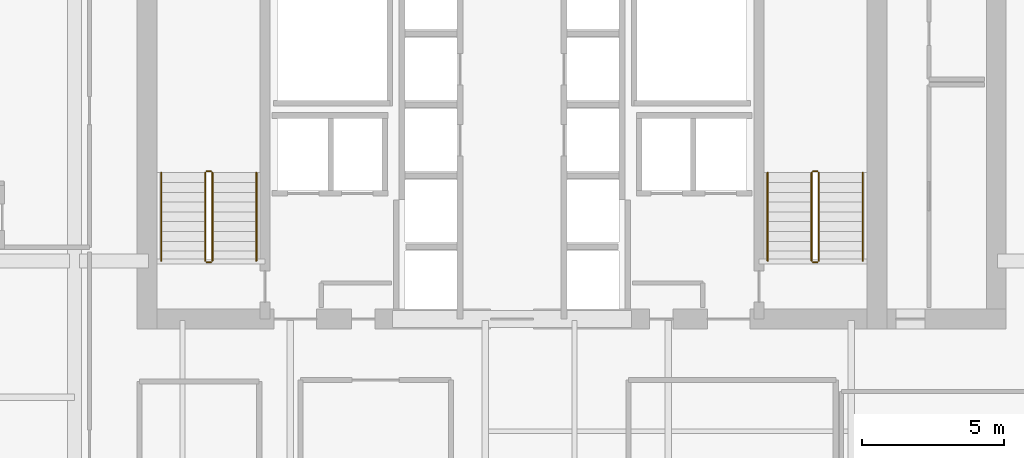
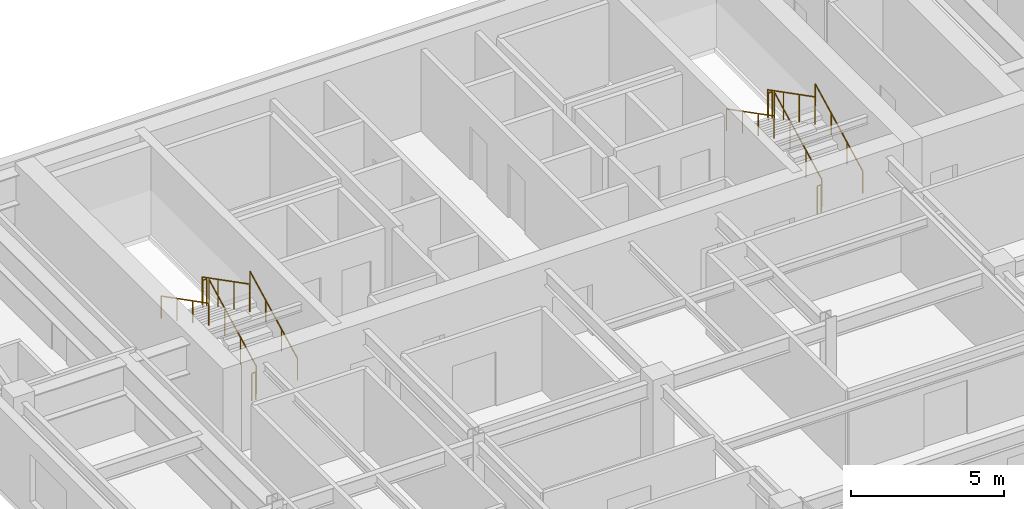
# One storey, part 14 of 14: 12 railings.
"""IFC4 building model written with IfcOpenShell, lengths in metres."""

from ifc_helpers import new_model, si_unit, direction, frame, origin, origin_2d, place, context, subcontext, project, spatial, circle, extrude, material, type_object, element, save


model = new_model("IFC4")

# Units and contexts
model_context = context("Model", 3, precision=1e-05, world=origin(), true_north=direction((0.0, 1.0)))
body_context = subcontext(model_context, "Body", "Model", "MODEL_VIEW")
ifc_project = project(units=[si_unit("LENGTHUNIT", "METRE"), si_unit("AREAUNIT", "SQUARE_METRE"), si_unit("VOLUMEUNIT", "CUBIC_METRE"), si_unit("PLANEANGLEUNIT", "RADIAN"), si_unit("MASSUNIT", "GRAM", prefix="KILO")], contexts=[model_context])

# Site, building, storey
site_placement = place(None, origin())
site = spatial("IfcSite", under=ifc_project, at=site_placement, CompositionType="ELEMENT")
building_placement = place(site_placement, origin())
building = spatial("IfcBuilding", under=site, at=building_placement, Name="Tolvann Quenvar Hotel", CompositionType="ELEMENT")
storey_placement = place(building_placement, frame((0.0, 0.0, 179.0)))
storey = spatial("IfcBuildingStorey", under=building, at=storey_placement, Name="L47", CompositionType="ELEMENT", Elevation=179.0)

# Railings
ifc_material = material(Name="Brushed 316 stainless steel balustrade and handrail", Category="steel")
railing_type_1 = type_object("IfcRailingType", Name="GUARDRAIL", PredefinedType="GUARDRAIL", material=ifc_material)
railing_1_placement = place(storey_placement, frame((12.449951171875, 34.0, 0.177490234375)))
element("IfcRailing", 1, at=railing_1_placement, inside=storey, type_object=railing_type_1, Name="L47 ST-C1 stair guard 1", PredefinedType="GUARDRAIL", context=body_context, shape_type="SweptSolid", body=[
    extrude(circle(Radius=0.02392578125, at=origin_2d()), frame((0.0, 0.0, 1.09619140625), z_axis=(0.0, 0.889221982265, 0.45747597342), x_axis=(-1.0, 0.0, 0.0)), (0.0, 0.0, 1.0), 3.49169921875),
    extrude(circle(Radius=0.02099609375, at=origin_2d()), origin(), (0.0, 0.0, 1.0), 1.072021484375),
    extrude(circle(Radius=0.02099609375, at=origin_2d()), frame((0.0, 1.034912109375, 0.532470703125)), (0.0, 0.0, 1.0), 1.072021484375),
    extrude(circle(Radius=0.02099609375, at=origin_2d()), frame((0.0, 2.070068359375, 1.06494140625)), (0.0, 0.0, 1.0), 1.072021484375),
    extrude(circle(Radius=0.02099609375, at=origin_2d()), frame((0.0, 3.10498046875, 1.597412109375)), (0.0, 0.0, 1.0), 1.072021484375),
])
railing_2_placement = place(storey_placement, frame((12.39990234375, 37.155029296875, 1.77490234375)))
element("IfcRailing", 2, at=railing_2_placement, inside=storey, type_object=railing_type_1, Name="L47 ST-C1 stair guard 2", PredefinedType="GUARDRAIL", context=body_context, shape_type="SweptSolid", body=[
    extrude(circle(Radius=0.02392578125, at=origin_2d()), frame((0.0, 0.0, 1.09619140625), z_axis=(-1.0, 0.0, 0.0), x_axis=(0.0, -1.0, 0.0)), (0.0, 0.0, 1.0), 0.14990234375),
    extrude(circle(Radius=0.02099609375, at=origin_2d()), origin(), (0.0, 0.0, 1.0), 1.072021484375),
    extrude(circle(Radius=0.02099609375, at=origin_2d()), frame((-0.14990234375, 0.0, 0.0)), (0.0, 0.0, 1.0), 1.072021484375),
])
railing_3_placement = place(storey_placement, frame((12.199951171875, 37.10498046875, 1.952392578125)))
element("IfcRailing", 3, at=railing_3_placement, inside=storey, type_object=railing_type_1, Name="L47 ST-C1 stair guard 3", PredefinedType="GUARDRAIL", context=body_context, shape_type="SweptSolid", body=[
    extrude(circle(Radius=0.02392578125, at=origin_2d()), frame((0.0, 0.0, 1.09619140625), z_axis=(0.0, -0.88919353882, 0.457531256332), x_axis=(1.0, 0.0, 0.0)), (0.0, 0.0, 1.0), 3.491943359375),
    extrude(circle(Radius=0.02099609375, at=origin_2d()), origin(), (0.0, 0.0, 1.0), 1.072021484375),
    extrude(circle(Radius=0.02099609375, at=origin_2d()), frame((0.0, -1.034912109375, 0.532470703125)), (0.0, 0.0, 1.0), 1.072021484375),
    extrude(circle(Radius=0.02099609375, at=origin_2d()), frame((0.0, -2.070068359375, 1.065185546875)), (0.0, 0.0, 1.0), 1.072021484375),
    extrude(circle(Radius=0.02099609375, at=origin_2d()), frame((0.0, -3.10498046875, 1.59765625)), (0.0, 0.0, 1.0), 1.072021484375),
])
railing_4_placement = place(storey_placement, frame((12.39990234375, 33.949951171875, 0.0)))
element("IfcRailing", 4, at=railing_4_placement, inside=storey, type_object=railing_type_1, Name="L47 ST-C1 stair guard 4", PredefinedType="GUARDRAIL", context=body_context, shape_type="SweptSolid", body=[
    extrude(circle(Radius=0.02392578125, at=origin_2d()), frame((0.0, 0.0, 1.09619140625), z_axis=(-1.0, 0.0, 0.0), x_axis=(0.0, -1.0, 0.0)), (0.0, 0.0, 1.0), 0.14990234375),
    extrude(circle(Radius=0.02099609375, at=origin_2d()), origin(), (0.0, 0.0, 1.0), 1.072021484375),
    extrude(circle(Radius=0.02099609375, at=origin_2d()), frame((-0.14990234375, 0.0, 0.0)), (0.0, 0.0, 1.0), 1.072021484375),
])
railing_5_placement = place(storey_placement, frame((33.800048828125, 34.0, 0.177490234375)))
element("IfcRailing", 5, at=railing_5_placement, inside=storey, type_object=railing_type_1, Name="L47 ST-C2 stair guard 1", PredefinedType="GUARDRAIL", context=body_context, shape_type="SweptSolid", body=[
    extrude(circle(Radius=0.02392578125, at=origin_2d()), frame((0.0, 0.0, 1.09619140625), z_axis=(0.0, 0.889221982265, 0.45747597342), x_axis=(-1.0, 0.0, 0.0)), (0.0, 0.0, 1.0), 3.49169921875),
    extrude(circle(Radius=0.02099609375, at=origin_2d()), origin(), (0.0, 0.0, 1.0), 1.072021484375),
    extrude(circle(Radius=0.02099609375, at=origin_2d()), frame((0.0, 1.034912109375, 0.532470703125)), (0.0, 0.0, 1.0), 1.072021484375),
    extrude(circle(Radius=0.02099609375, at=origin_2d()), frame((0.0, 2.070068359375, 1.06494140625)), (0.0, 0.0, 1.0), 1.072021484375),
    extrude(circle(Radius=0.02099609375, at=origin_2d()), frame((0.0, 3.10498046875, 1.597412109375)), (0.0, 0.0, 1.0), 1.072021484375),
])
railing_6_placement = place(storey_placement, frame((33.75, 37.155029296875, 1.77490234375)))
element("IfcRailing", 6, at=railing_6_placement, inside=storey, type_object=railing_type_1, Name="L47 ST-C2 stair guard 2", PredefinedType="GUARDRAIL", context=body_context, shape_type="SweptSolid", body=[
    extrude(circle(Radius=0.02392578125, at=origin_2d()), frame((0.0, 0.0, 1.09619140625), z_axis=(-1.0, 0.0, 0.0), x_axis=(0.0, -1.0, 0.0)), (0.0, 0.0, 1.0), 0.14990234375),
    extrude(circle(Radius=0.02099609375, at=origin_2d()), origin(), (0.0, 0.0, 1.0), 1.072021484375),
    extrude(circle(Radius=0.02099609375, at=origin_2d()), frame((-0.14990234375, 0.0, 0.0)), (0.0, 0.0, 1.0), 1.072021484375),
])
railing_7_placement = place(storey_placement, frame((33.550048828125, 37.10498046875, 1.952392578125)))
element("IfcRailing", 7, at=railing_7_placement, inside=storey, type_object=railing_type_1, Name="L47 ST-C2 stair guard 3", PredefinedType="GUARDRAIL", context=body_context, shape_type="SweptSolid", body=[
    extrude(circle(Radius=0.02392578125, at=origin_2d()), frame((0.0, 0.0, 1.09619140625), z_axis=(0.0, -0.88919353882, 0.457531256332), x_axis=(1.0, 0.0, 0.0)), (0.0, 0.0, 1.0), 3.491943359375),
    extrude(circle(Radius=0.02099609375, at=origin_2d()), origin(), (0.0, 0.0, 1.0), 1.072021484375),
    extrude(circle(Radius=0.02099609375, at=origin_2d()), frame((0.0, -1.034912109375, 0.532470703125)), (0.0, 0.0, 1.0), 1.072021484375),
    extrude(circle(Radius=0.02099609375, at=origin_2d()), frame((0.0, -2.070068359375, 1.065185546875)), (0.0, 0.0, 1.0), 1.072021484375),
    extrude(circle(Radius=0.02099609375, at=origin_2d()), frame((0.0, -3.10498046875, 1.59765625)), (0.0, 0.0, 1.0), 1.072021484375),
])
railing_8_placement = place(storey_placement, frame((33.75, 33.949951171875, 0.0)))
element("IfcRailing", 8, at=railing_8_placement, inside=storey, type_object=railing_type_1, Name="L47 ST-C2 stair guard 4", PredefinedType="GUARDRAIL", context=body_context, shape_type="SweptSolid", body=[
    extrude(circle(Radius=0.02392578125, at=origin_2d()), frame((0.0, 0.0, 1.09619140625), z_axis=(-1.0, 0.0, 0.0), x_axis=(0.0, -1.0, 0.0)), (0.0, 0.0, 1.0), 0.14990234375),
    extrude(circle(Radius=0.02099609375, at=origin_2d()), origin(), (0.0, 0.0, 1.0), 1.072021484375),
    extrude(circle(Radius=0.02099609375, at=origin_2d()), frame((-0.14990234375, 0.0, 0.0)), (0.0, 0.0, 1.0), 1.072021484375),
])
railing_type_2 = type_object("IfcRailingType", Name="HANDRAIL", PredefinedType="HANDRAIL", material=ifc_material)
railing_9_placement = place(storey_placement, frame((14.0, 34.0, 0.177490234375)))
element("IfcRailing", 9, at=railing_9_placement, inside=storey, type_object=railing_type_2, Name="L47 ST-C1 stair handrail 1", PredefinedType="HANDRAIL", context=body_context, shape_type="SweptSolid", body=[
    extrude(circle(Radius=0.02392578125, at=origin_2d()), frame((0.0, 0.0, 0.8759765625), z_axis=(0.0, 0.889221982265, 0.45747597342), x_axis=(-1.0, 0.0, 0.0)), (0.0, 0.0, 1.0), 3.49169921875),
    extrude(circle(Radius=0.02099609375, at=origin_2d()), origin(), (0.0, 0.0, 1.0), 0.851806640625),
    extrude(circle(Radius=0.02099609375, at=origin_2d()), frame((0.0, 1.034912109375, 0.532470703125)), (0.0, 0.0, 1.0), 0.851806640625),
    extrude(circle(Radius=0.02099609375, at=origin_2d()), frame((0.0, 2.070068359375, 1.06494140625)), (0.0, 0.0, 1.0), 0.851806640625),
    extrude(circle(Radius=0.02099609375, at=origin_2d()), frame((0.0, 3.10498046875, 1.597412109375)), (0.0, 0.0, 1.0), 0.851806640625),
])
railing_10_placement = place(storey_placement, frame((10.64990234375, 37.10498046875, 1.952392578125)))
element("IfcRailing", 10, at=railing_10_placement, inside=storey, type_object=railing_type_2, Name="L47 ST-C1 stair handrail 2", PredefinedType="HANDRAIL", context=body_context, shape_type="SweptSolid", body=[
    extrude(circle(Radius=0.02392578125, at=origin_2d()), frame((0.0, 0.0, 0.8759765625), z_axis=(0.0, -0.88919353882, 0.457531256332), x_axis=(1.0, 0.0, 0.0)), (0.0, 0.0, 1.0), 3.491943359375),
    extrude(circle(Radius=0.02099609375, at=origin_2d()), origin(), (0.0, 0.0, 1.0), 0.851806640625),
    extrude(circle(Radius=0.02099609375, at=origin_2d()), frame((0.0, -1.034912109375, 0.532470703125)), (0.0, 0.0, 1.0), 0.851806640625),
    extrude(circle(Radius=0.02099609375, at=origin_2d()), frame((0.0, -2.070068359375, 1.065185546875)), (0.0, 0.0, 1.0), 0.851806640625),
    extrude(circle(Radius=0.02099609375, at=origin_2d()), frame((0.0, -3.10498046875, 1.59765625)), (0.0, 0.0, 1.0), 0.851806640625),
])
railing_11_placement = place(storey_placement, frame((35.35009765625, 34.0, 0.177490234375)))
element("IfcRailing", 11, at=railing_11_placement, inside=storey, type_object=railing_type_2, Name="L47 ST-C2 stair handrail 1", PredefinedType="HANDRAIL", context=body_context, shape_type="SweptSolid", body=[
    extrude(circle(Radius=0.02392578125, at=origin_2d()), frame((0.0, 0.0, 0.8759765625), z_axis=(0.0, 0.889221982265, 0.45747597342), x_axis=(-1.0, 0.0, 0.0)), (0.0, 0.0, 1.0), 3.49169921875),
    extrude(circle(Radius=0.02099609375, at=origin_2d()), origin(), (0.0, 0.0, 1.0), 0.851806640625),
    extrude(circle(Radius=0.02099609375, at=origin_2d()), frame((0.0, 1.034912109375, 0.532470703125)), (0.0, 0.0, 1.0), 0.851806640625),
    extrude(circle(Radius=0.02099609375, at=origin_2d()), frame((0.0, 2.070068359375, 1.06494140625)), (0.0, 0.0, 1.0), 0.851806640625),
    extrude(circle(Radius=0.02099609375, at=origin_2d()), frame((0.0, 3.10498046875, 1.597412109375)), (0.0, 0.0, 1.0), 0.851806640625),
])
railing_12_placement = place(storey_placement, frame((32.0, 37.10498046875, 1.952392578125)))
element("IfcRailing", 12, at=railing_12_placement, inside=storey, type_object=railing_type_2, Name="L47 ST-C2 stair handrail 2", PredefinedType="HANDRAIL", context=body_context, shape_type="SweptSolid", body=[
    extrude(circle(Radius=0.02392578125, at=origin_2d()), frame((0.0, 0.0, 0.8759765625), z_axis=(0.0, -0.88919353882, 0.457531256332), x_axis=(1.0, 0.0, 0.0)), (0.0, 0.0, 1.0), 3.491943359375),
    extrude(circle(Radius=0.02099609375, at=origin_2d()), origin(), (0.0, 0.0, 1.0), 0.851806640625),
    extrude(circle(Radius=0.02099609375, at=origin_2d()), frame((0.0, -1.034912109375, 0.532470703125)), (0.0, 0.0, 1.0), 0.851806640625),
    extrude(circle(Radius=0.02099609375, at=origin_2d()), frame((0.0, -2.070068359375, 1.065185546875)), (0.0, 0.0, 1.0), 0.851806640625),
    extrude(circle(Radius=0.02099609375, at=origin_2d()), frame((0.0, -3.10498046875, 1.59765625)), (0.0, 0.0, 1.0), 0.851806640625),
])

save(model, "model.ifc")
